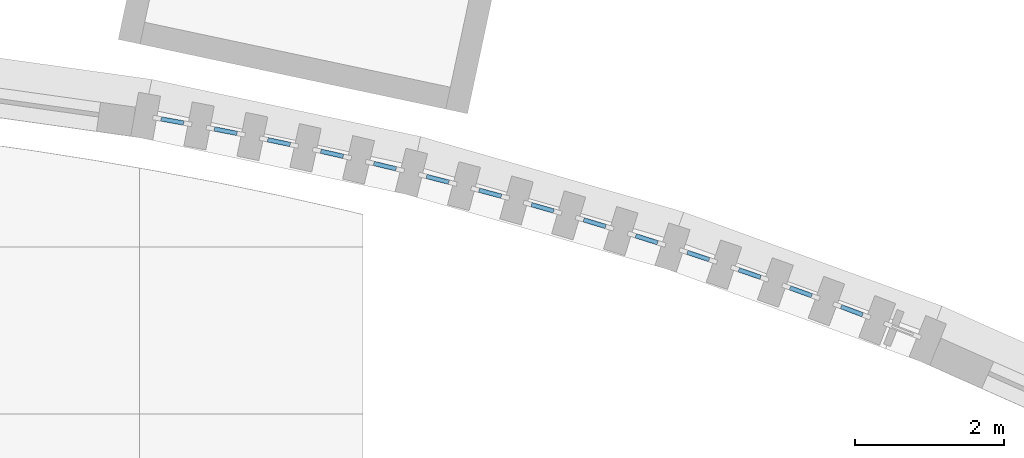
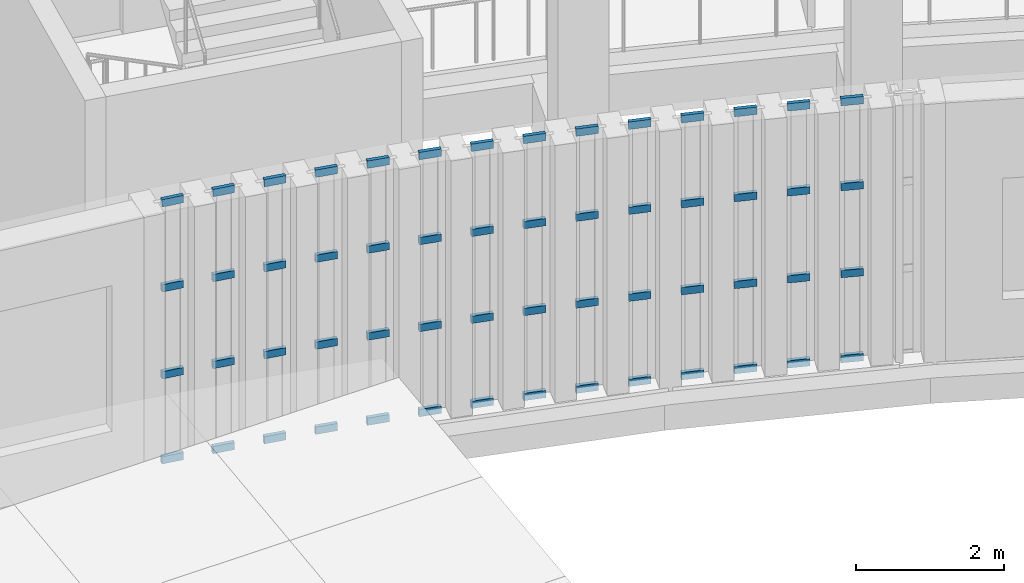
# One storey, part 35 of 112: 56 members, 14 elements without a shape of their own.
"""IFC4 building model written with IfcOpenShell, lengths in metres."""

from ifc_helpers import new_model, si_unit, direction, frame, origin, origin_2d, place, context, subcontext, project, spatial, rectangle, extrude, material, layer, layer_set, material_profile, profile_set, type_object, element, aggregate, save


model = new_model("IFC4")

# Units and contexts
model_context = context("Model", 3, precision=1e-05, world=origin(), true_north=direction((0.0, 1.0)))
body_context = subcontext(model_context, "Body", "Model", "MODEL_VIEW")
ifc_project = project(units=[si_unit("LENGTHUNIT", "METRE"), si_unit("AREAUNIT", "SQUARE_METRE"), si_unit("VOLUMEUNIT", "CUBIC_METRE"), si_unit("PLANEANGLEUNIT", "RADIAN"), si_unit("MASSUNIT", "GRAM", prefix="KILO")], contexts=[model_context])

# Site, building, storey
site_placement = place(None, origin())
site = spatial("IfcSite", under=ifc_project, at=site_placement, CompositionType="ELEMENT")
building_placement = place(site_placement, origin())
building = spatial("IfcBuilding", under=site, at=building_placement, Name="Lunette Opera House", CompositionType="ELEMENT")
storey_placement = place(building_placement, frame((0.0, 0.0, 6.0)))
storey = spatial("IfcBuildingStorey", under=building, at=storey_placement, Name="L01", CompositionType="ELEMENT", Elevation=6.0)

# Curtain wall, members
ifc_material_1 = material(Name="Aluminium", Category="aluminium")
ifc_layer = layer(ifc_material_1, 0.1201171875)
ifc_layer_set = layer_set([ifc_layer], Name="Aluminium")
curtain_wall_type = type_object("IfcCurtainWallType", Name="SLOT CURTAIN WALL", PredefinedType="NOTDEFINED", material=ifc_layer_set)
curtain_wall_1_placement = place(storey_placement, origin())
curtain_wall_1 = element("IfcCurtainWall", 1, at=curtain_wall_1_placement, inside=storey, type_object=curtain_wall_type, Name="Slot Curtain Wall CS046 L01", PredefinedType="NOTDEFINED")
ifc_material_2 = material(Name="Aluminium", Category="aluminium")
ifc_material_profile = material_profile(ifc_material_2, rectangle(XDim=0.06005859375, YDim=0.1201171875, at=origin_2d()), Name="TRANSOM 60 X 120")
ifc_profile_set = profile_set([ifc_material_profile], Name="Aluminium")
member_type = type_object("IfcMemberType", Name="TRANSOM 60 X 120", PredefinedType="USERDEFINED", material=ifc_profile_set)
member_1_placement = place(storey_placement, frame((105.2880859375, 51.46826171875, 0.030029296875), z_axis=(0.983982796931, -0.178263443658, 0.0), x_axis=(0.178263443658, 0.983982796931, 0.0)))
member_1 = element("IfcMember", 2, at=member_1_placement, type_object=member_type, Name="FC-X2092 transom 1.1", ObjectType="TRANSOM", PredefinedType="USERDEFINED", context=body_context, shape_type="SweptSolid", body=[
    extrude(rectangle(XDim=0.06005859375, YDim=0.1201171875, at=origin_2d()), origin(), (0.0, 0.0, 1.0), 0.310791015625),
])
member_2_placement = place(storey_placement, frame((105.2880859375, 51.46826171875, 1.43310546875), z_axis=(0.983982796931, -0.178263443658, 0.0), x_axis=(0.178263443658, 0.983982796931, 0.0)))
member_2 = element("IfcMember", 3, at=member_2_placement, type_object=member_type, Name="FC-X2092 transom 1.2", ObjectType="TRANSOM", PredefinedType="USERDEFINED", context=body_context, shape_type="SweptSolid", body=[
    extrude(rectangle(XDim=0.06005859375, YDim=0.1201171875, at=origin_2d()), origin(), (0.0, 0.0, 1.0), 0.310791015625),
])
member_3_placement = place(storey_placement, frame((105.2880859375, 51.46826171875, 2.866943359375), z_axis=(0.983982796931, -0.178263443658, 0.0), x_axis=(0.178263443658, 0.983982796931, 0.0)))
member_3 = element("IfcMember", 4, at=member_3_placement, type_object=member_type, Name="FC-X2092 transom 1.3", ObjectType="TRANSOM", PredefinedType="USERDEFINED", context=body_context, shape_type="SweptSolid", body=[
    extrude(rectangle(XDim=0.06005859375, YDim=0.1201171875, at=origin_2d()), origin(), (0.0, 0.0, 1.0), 0.310791015625),
])
member_4_placement = place(storey_placement, frame((105.2880859375, 51.46826171875, 4.27001953125), z_axis=(0.983982796931, -0.178263443658, 0.0), x_axis=(0.178263443658, 0.983982796931, 0.0)))
member_4 = element("IfcMember", 5, at=member_4_placement, type_object=member_type, Name="FC-X2092 transom 1.4", ObjectType="TRANSOM", PredefinedType="USERDEFINED", context=body_context, shape_type="SweptSolid", body=[
    extrude(rectangle(XDim=0.06005859375, YDim=0.1201171875, at=origin_2d()), origin(), (0.0, 0.0, 1.0), 0.310791015625),
])
aggregate(curtain_wall_1, [member_1, member_2, member_3, member_4])

curtain_wall_2_placement = place(storey_placement, origin())
curtain_wall_2 = element("IfcCurtainWall", 6, at=curtain_wall_2_placement, inside=storey, type_object=curtain_wall_type, Name="Slot Curtain Wall CS047 L01", PredefinedType="NOTDEFINED")
member_5_placement = place(storey_placement, frame((106.005859375, 51.33349609375, 0.030029296875), z_axis=(0.981211567536, -0.192934858785, 0.0), x_axis=(0.192934858785, 0.981211567536, 0.0)))
member_5 = element("IfcMember", 7, at=member_5_placement, type_object=member_type, Name="FC-X2094 transom 1.1", ObjectType="TRANSOM", PredefinedType="USERDEFINED", context=body_context, shape_type="SweptSolid", body=[
    extrude(rectangle(XDim=0.06005859375, YDim=0.1201171875, at=origin_2d()), origin(), (0.0, 0.0, 1.0), 0.31005859375),
])
member_6_placement = place(storey_placement, frame((106.005859375, 51.33349609375, 1.43310546875), z_axis=(0.981211567536, -0.192934858785, 0.0), x_axis=(0.192934858785, 0.981211567536, 0.0)))
member_6 = element("IfcMember", 8, at=member_6_placement, type_object=member_type, Name="FC-X2094 transom 1.2", ObjectType="TRANSOM", PredefinedType="USERDEFINED", context=body_context, shape_type="SweptSolid", body=[
    extrude(rectangle(XDim=0.06005859375, YDim=0.1201171875, at=origin_2d()), origin(), (0.0, 0.0, 1.0), 0.31005859375),
])
member_7_placement = place(storey_placement, frame((106.005859375, 51.33349609375, 2.866943359375), z_axis=(0.981211567536, -0.192934858785, 0.0), x_axis=(0.192934858785, 0.981211567536, 0.0)))
member_7 = element("IfcMember", 9, at=member_7_placement, type_object=member_type, Name="FC-X2094 transom 1.3", ObjectType="TRANSOM", PredefinedType="USERDEFINED", context=body_context, shape_type="SweptSolid", body=[
    extrude(rectangle(XDim=0.06005859375, YDim=0.1201171875, at=origin_2d()), origin(), (0.0, 0.0, 1.0), 0.31005859375),
])
member_8_placement = place(storey_placement, frame((106.005859375, 51.33349609375, 4.27001953125), z_axis=(0.981211567536, -0.192934858785, 0.0), x_axis=(0.192934858785, 0.981211567536, 0.0)))
member_8 = element("IfcMember", 10, at=member_8_placement, type_object=member_type, Name="FC-X2094 transom 1.4", ObjectType="TRANSOM", PredefinedType="USERDEFINED", context=body_context, shape_type="SweptSolid", body=[
    extrude(rectangle(XDim=0.06005859375, YDim=0.1201171875, at=origin_2d()), origin(), (0.0, 0.0, 1.0), 0.31005859375),
])
aggregate(curtain_wall_2, [member_5, member_6, member_7, member_8])

curtain_wall_3_placement = place(storey_placement, origin())
curtain_wall_3 = element("IfcCurtainWall", 11, at=curtain_wall_3_placement, inside=storey, type_object=curtain_wall_type, Name="Slot Curtain Wall CS048 L01", PredefinedType="NOTDEFINED")
member_9_placement = place(storey_placement, frame((106.7216796875, 51.1884765625, 0.030029296875), z_axis=(0.978533089952, -0.206089766533, 0.0), x_axis=(0.206089766533, 0.978533089952, 0.0)))
member_9 = element("IfcMember", 12, at=member_9_placement, type_object=member_type, Name="FC-X2096 transom 1.1", ObjectType="TRANSOM", PredefinedType="USERDEFINED", context=body_context, shape_type="SweptSolid", body=[
    extrude(rectangle(XDim=0.06005859375, YDim=0.1201171875, at=origin_2d()), origin(), (0.0, 0.0, 1.0), 0.310302734375),
])
member_10_placement = place(storey_placement, frame((106.7216796875, 51.1884765625, 1.43310546875), z_axis=(0.978533089952, -0.206089766533, 0.0), x_axis=(0.206089766533, 0.978533089952, 0.0)))
member_10 = element("IfcMember", 13, at=member_10_placement, type_object=member_type, Name="FC-X2096 transom 1.2", ObjectType="TRANSOM", PredefinedType="USERDEFINED", context=body_context, shape_type="SweptSolid", body=[
    extrude(rectangle(XDim=0.06005859375, YDim=0.1201171875, at=origin_2d()), origin(), (0.0, 0.0, 1.0), 0.310302734375),
])
member_11_placement = place(storey_placement, frame((106.7216796875, 51.1884765625, 2.866943359375), z_axis=(0.978533089952, -0.206089766533, 0.0), x_axis=(0.206089766533, 0.978533089952, 0.0)))
member_11 = element("IfcMember", 14, at=member_11_placement, type_object=member_type, Name="FC-X2096 transom 1.3", ObjectType="TRANSOM", PredefinedType="USERDEFINED", context=body_context, shape_type="SweptSolid", body=[
    extrude(rectangle(XDim=0.06005859375, YDim=0.1201171875, at=origin_2d()), origin(), (0.0, 0.0, 1.0), 0.310302734375),
])
member_12_placement = place(storey_placement, frame((106.7216796875, 51.1884765625, 4.27001953125), z_axis=(0.978533089952, -0.206089766533, 0.0), x_axis=(0.206089766533, 0.978533089952, 0.0)))
member_12 = element("IfcMember", 15, at=member_12_placement, type_object=member_type, Name="FC-X2096 transom 1.4", ObjectType="TRANSOM", PredefinedType="USERDEFINED", context=body_context, shape_type="SweptSolid", body=[
    extrude(rectangle(XDim=0.06005859375, YDim=0.1201171875, at=origin_2d()), origin(), (0.0, 0.0, 1.0), 0.310302734375),
])
aggregate(curtain_wall_3, [member_9, member_10, member_11, member_12])

curtain_wall_4_placement = place(storey_placement, origin())
curtain_wall_4 = element("IfcCurtainWall", 16, at=curtain_wall_4_placement, inside=storey, type_object=curtain_wall_type, Name="Slot Curtain Wall CS049 L01", PredefinedType="NOTDEFINED")
member_13_placement = place(storey_placement, frame((107.435546875, 51.03466796875, 0.030029296875), z_axis=(0.974799972142, -0.223080734962, 0.0), x_axis=(0.223080734962, 0.974799972142, 0.0)))
member_13 = element("IfcMember", 17, at=member_13_placement, type_object=member_type, Name="FC-X2098 transom 1.1", ObjectType="TRANSOM", PredefinedType="USERDEFINED", context=body_context, shape_type="SweptSolid", body=[
    extrude(rectangle(XDim=0.06005859375, YDim=0.1201171875, at=origin_2d()), origin(), (0.0, 0.0, 1.0), 0.310791015625),
])
member_14_placement = place(storey_placement, frame((107.435546875, 51.03466796875, 1.43310546875), z_axis=(0.974799972142, -0.223080734962, 0.0), x_axis=(0.223080734962, 0.974799972142, 0.0)))
member_14 = element("IfcMember", 18, at=member_14_placement, type_object=member_type, Name="FC-X2098 transom 1.2", ObjectType="TRANSOM", PredefinedType="USERDEFINED", context=body_context, shape_type="SweptSolid", body=[
    extrude(rectangle(XDim=0.06005859375, YDim=0.1201171875, at=origin_2d()), origin(), (0.0, 0.0, 1.0), 0.310791015625),
])
member_15_placement = place(storey_placement, frame((107.435546875, 51.03466796875, 2.866943359375), z_axis=(0.974799972142, -0.223080734962, 0.0), x_axis=(0.223080734962, 0.974799972142, 0.0)))
member_15 = element("IfcMember", 19, at=member_15_placement, type_object=member_type, Name="FC-X2098 transom 1.3", ObjectType="TRANSOM", PredefinedType="USERDEFINED", context=body_context, shape_type="SweptSolid", body=[
    extrude(rectangle(XDim=0.06005859375, YDim=0.1201171875, at=origin_2d()), origin(), (0.0, 0.0, 1.0), 0.310791015625),
])
member_16_placement = place(storey_placement, frame((107.435546875, 51.03466796875, 4.27001953125), z_axis=(0.974799972142, -0.223080734962, 0.0), x_axis=(0.223080734962, 0.974799972142, 0.0)))
member_16 = element("IfcMember", 20, at=member_16_placement, type_object=member_type, Name="FC-X2098 transom 1.4", ObjectType="TRANSOM", PredefinedType="USERDEFINED", context=body_context, shape_type="SweptSolid", body=[
    extrude(rectangle(XDim=0.06005859375, YDim=0.1201171875, at=origin_2d()), origin(), (0.0, 0.0, 1.0), 0.310791015625),
])
aggregate(curtain_wall_4, [member_13, member_14, member_15, member_16])

curtain_wall_5_placement = place(storey_placement, origin())
curtain_wall_5 = element("IfcCurtainWall", 21, at=curtain_wall_5_placement, inside=storey, type_object=curtain_wall_type, Name="Slot Curtain Wall CS050 L01", PredefinedType="NOTDEFINED")
member_17_placement = place(storey_placement, frame((108.147216796875, 50.869873046875, 0.030029296875), z_axis=(0.972100778167, -0.234563588578, 0.0), x_axis=(0.234563588578, 0.972100778167, 0.0)))
member_17 = element("IfcMember", 22, at=member_17_placement, type_object=member_type, Name="FC-X2100 transom 1.1", ObjectType="TRANSOM", PredefinedType="USERDEFINED", context=body_context, shape_type="SweptSolid", body=[
    extrude(rectangle(XDim=0.06005859375, YDim=0.1201171875, at=origin_2d()), origin(), (0.0, 0.0, 1.0), 0.31005859375),
])
member_18_placement = place(storey_placement, frame((108.147216796875, 50.869873046875, 1.43310546875), z_axis=(0.972100778167, -0.234563588578, 0.0), x_axis=(0.234563588578, 0.972100778167, 0.0)))
member_18 = element("IfcMember", 23, at=member_18_placement, type_object=member_type, Name="FC-X2100 transom 1.2", ObjectType="TRANSOM", PredefinedType="USERDEFINED", context=body_context, shape_type="SweptSolid", body=[
    extrude(rectangle(XDim=0.06005859375, YDim=0.1201171875, at=origin_2d()), origin(), (0.0, 0.0, 1.0), 0.31005859375),
])
member_19_placement = place(storey_placement, frame((108.147216796875, 50.869873046875, 2.866943359375), z_axis=(0.972100778167, -0.234563588578, 0.0), x_axis=(0.234563588578, 0.972100778167, 0.0)))
member_19 = element("IfcMember", 24, at=member_19_placement, type_object=member_type, Name="FC-X2100 transom 1.3", ObjectType="TRANSOM", PredefinedType="USERDEFINED", context=body_context, shape_type="SweptSolid", body=[
    extrude(rectangle(XDim=0.06005859375, YDim=0.1201171875, at=origin_2d()), origin(), (0.0, 0.0, 1.0), 0.31005859375),
])
member_20_placement = place(storey_placement, frame((108.147216796875, 50.869873046875, 4.27001953125), z_axis=(0.972100778167, -0.234563588578, 0.0), x_axis=(0.234563588578, 0.972100778167, 0.0)))
member_20 = element("IfcMember", 25, at=member_20_placement, type_object=member_type, Name="FC-X2100 transom 1.4", ObjectType="TRANSOM", PredefinedType="USERDEFINED", context=body_context, shape_type="SweptSolid", body=[
    extrude(rectangle(XDim=0.06005859375, YDim=0.1201171875, at=origin_2d()), origin(), (0.0, 0.0, 1.0), 0.31005859375),
])
aggregate(curtain_wall_5, [member_17, member_18, member_19, member_20])

curtain_wall_6_placement = place(storey_placement, origin())
curtain_wall_6 = element("IfcCurtainWall", 26, at=curtain_wall_6_placement, inside=storey, type_object=curtain_wall_type, Name="Slot Curtain Wall CS051 L01", PredefinedType="NOTDEFINED")
member_21_placement = place(storey_placement, frame((108.856201171875, 50.695068359375, 0.030029296875), z_axis=(0.968644461796, -0.248451014552, 0.0), x_axis=(0.248451014552, 0.968644461796, 0.0)))
member_21 = element("IfcMember", 27, at=member_21_placement, type_object=member_type, Name="FC-X2102 transom 1.1", ObjectType="TRANSOM", PredefinedType="USERDEFINED", context=body_context, shape_type="SweptSolid", body=[
    extrude(rectangle(XDim=0.06005859375, YDim=0.1201171875, at=origin_2d()), origin(), (0.0, 0.0, 1.0), 0.310546875),
])
member_22_placement = place(storey_placement, frame((108.856201171875, 50.695068359375, 1.43310546875), z_axis=(0.968644461796, -0.248451014552, 0.0), x_axis=(0.248451014552, 0.968644461796, 0.0)))
member_22 = element("IfcMember", 28, at=member_22_placement, type_object=member_type, Name="FC-X2102 transom 1.2", ObjectType="TRANSOM", PredefinedType="USERDEFINED", context=body_context, shape_type="SweptSolid", body=[
    extrude(rectangle(XDim=0.06005859375, YDim=0.1201171875, at=origin_2d()), origin(), (0.0, 0.0, 1.0), 0.310546875),
])
member_23_placement = place(storey_placement, frame((108.856201171875, 50.695068359375, 2.866943359375), z_axis=(0.968644461796, -0.248451014552, 0.0), x_axis=(0.248451014552, 0.968644461796, 0.0)))
member_23 = element("IfcMember", 29, at=member_23_placement, type_object=member_type, Name="FC-X2102 transom 1.3", ObjectType="TRANSOM", PredefinedType="USERDEFINED", context=body_context, shape_type="SweptSolid", body=[
    extrude(rectangle(XDim=0.06005859375, YDim=0.1201171875, at=origin_2d()), origin(), (0.0, 0.0, 1.0), 0.310546875),
])
member_24_placement = place(storey_placement, frame((108.856201171875, 50.695068359375, 4.27001953125), z_axis=(0.968644461796, -0.248451014552, 0.0), x_axis=(0.248451014552, 0.968644461796, 0.0)))
member_24 = element("IfcMember", 30, at=member_24_placement, type_object=member_type, Name="FC-X2102 transom 1.4", ObjectType="TRANSOM", PredefinedType="USERDEFINED", context=body_context, shape_type="SweptSolid", body=[
    extrude(rectangle(XDim=0.06005859375, YDim=0.1201171875, at=origin_2d()), origin(), (0.0, 0.0, 1.0), 0.310546875),
])
aggregate(curtain_wall_6, [member_21, member_22, member_23, member_24])

curtain_wall_7_placement = place(storey_placement, origin())
curtain_wall_7 = element("IfcCurtainWall", 31, at=curtain_wall_7_placement, inside=storey, type_object=curtain_wall_type, Name="Slot Curtain Wall CS052 L01", PredefinedType="NOTDEFINED")
member_25_placement = place(storey_placement, frame((109.56298828125, 50.51025390625, 0.030029296875), z_axis=(0.965577695854, -0.260114807863, 0.0), x_axis=(0.260114807863, 0.965577695854, 0.0)))
member_25 = element("IfcMember", 32, at=member_25_placement, type_object=member_type, Name="FC-X2104 transom 1.1", ObjectType="TRANSOM", PredefinedType="USERDEFINED", context=body_context, shape_type="SweptSolid", body=[
    extrude(rectangle(XDim=0.06005859375, YDim=0.1201171875, at=origin_2d()), origin(), (0.0, 0.0, 1.0), 0.309814453125),
])
member_26_placement = place(storey_placement, frame((109.56298828125, 50.51025390625, 1.43310546875), z_axis=(0.965577695854, -0.260114807863, 0.0), x_axis=(0.260114807863, 0.965577695854, 0.0)))
member_26 = element("IfcMember", 33, at=member_26_placement, type_object=member_type, Name="FC-X2104 transom 1.2", ObjectType="TRANSOM", PredefinedType="USERDEFINED", context=body_context, shape_type="SweptSolid", body=[
    extrude(rectangle(XDim=0.06005859375, YDim=0.1201171875, at=origin_2d()), origin(), (0.0, 0.0, 1.0), 0.309814453125),
])
member_27_placement = place(storey_placement, frame((109.56298828125, 50.51025390625, 2.866943359375), z_axis=(0.965577695854, -0.260114807863, 0.0), x_axis=(0.260114807863, 0.965577695854, 0.0)))
member_27 = element("IfcMember", 34, at=member_27_placement, type_object=member_type, Name="FC-X2104 transom 1.3", ObjectType="TRANSOM", PredefinedType="USERDEFINED", context=body_context, shape_type="SweptSolid", body=[
    extrude(rectangle(XDim=0.06005859375, YDim=0.1201171875, at=origin_2d()), origin(), (0.0, 0.0, 1.0), 0.309814453125),
])
member_28_placement = place(storey_placement, frame((109.56298828125, 50.51025390625, 4.27001953125), z_axis=(0.965577695854, -0.260114807863, 0.0), x_axis=(0.260114807863, 0.965577695854, 0.0)))
member_28 = element("IfcMember", 35, at=member_28_placement, type_object=member_type, Name="FC-X2104 transom 1.4", ObjectType="TRANSOM", PredefinedType="USERDEFINED", context=body_context, shape_type="SweptSolid", body=[
    extrude(rectangle(XDim=0.06005859375, YDim=0.1201171875, at=origin_2d()), origin(), (0.0, 0.0, 1.0), 0.309814453125),
])
aggregate(curtain_wall_7, [member_25, member_26, member_27, member_28])

curtain_wall_8_placement = place(storey_placement, origin())
curtain_wall_8 = element("IfcCurtainWall", 36, at=curtain_wall_8_placement, inside=storey, type_object=curtain_wall_type, Name="Slot Curtain Wall CS053 L01", PredefinedType="NOTDEFINED")
member_29_placement = place(storey_placement, frame((110.2666015625, 50.31640625, 0.030029296875), z_axis=(0.96104845095, -0.276379946679, 0.0), x_axis=(0.276379946679, 0.96104845095, 0.0)))
member_29 = element("IfcMember", 37, at=member_29_placement, type_object=member_type, Name="FC-X2106 transom 1.1", ObjectType="TRANSOM", PredefinedType="USERDEFINED", context=body_context, shape_type="SweptSolid", body=[
    extrude(rectangle(XDim=0.06005859375, YDim=0.1201171875, at=origin_2d()), origin(), (0.0, 0.0, 1.0), 0.31103515625),
])
member_30_placement = place(storey_placement, frame((110.2666015625, 50.31640625, 1.43310546875), z_axis=(0.96104845095, -0.276379946679, 0.0), x_axis=(0.276379946679, 0.96104845095, 0.0)))
member_30 = element("IfcMember", 38, at=member_30_placement, type_object=member_type, Name="FC-X2106 transom 1.2", ObjectType="TRANSOM", PredefinedType="USERDEFINED", context=body_context, shape_type="SweptSolid", body=[
    extrude(rectangle(XDim=0.06005859375, YDim=0.1201171875, at=origin_2d()), origin(), (0.0, 0.0, 1.0), 0.31103515625),
])
member_31_placement = place(storey_placement, frame((110.2666015625, 50.31640625, 2.866943359375), z_axis=(0.96104845095, -0.276379946679, 0.0), x_axis=(0.276379946679, 0.96104845095, 0.0)))
member_31 = element("IfcMember", 39, at=member_31_placement, type_object=member_type, Name="FC-X2106 transom 1.3", ObjectType="TRANSOM", PredefinedType="USERDEFINED", context=body_context, shape_type="SweptSolid", body=[
    extrude(rectangle(XDim=0.06005859375, YDim=0.1201171875, at=origin_2d()), origin(), (0.0, 0.0, 1.0), 0.31103515625),
])
member_32_placement = place(storey_placement, frame((110.2666015625, 50.31640625, 4.27001953125), z_axis=(0.96104845095, -0.276379946679, 0.0), x_axis=(0.276379946679, 0.96104845095, 0.0)))
member_32 = element("IfcMember", 40, at=member_32_placement, type_object=member_type, Name="FC-X2106 transom 1.4", ObjectType="TRANSOM", PredefinedType="USERDEFINED", context=body_context, shape_type="SweptSolid", body=[
    extrude(rectangle(XDim=0.06005859375, YDim=0.1201171875, at=origin_2d()), origin(), (0.0, 0.0, 1.0), 0.31103515625),
])
aggregate(curtain_wall_8, [member_29, member_30, member_31, member_32])

curtain_wall_9_placement = place(storey_placement, origin())
curtain_wall_9 = element("IfcCurtainWall", 41, at=curtain_wall_9_placement, inside=storey, type_object=curtain_wall_type, Name="Slot Curtain Wall CS054 L01", PredefinedType="NOTDEFINED")
member_33_placement = place(storey_placement, frame((110.967529296875, 50.112548828125, 0.030029296875), z_axis=(0.956978097931, -0.290160162807, 0.0), x_axis=(0.290160162807, 0.956978097931, 0.0)))
member_33 = element("IfcMember", 42, at=member_33_placement, type_object=member_type, Name="FC-X2108 transom 1.1", ObjectType="TRANSOM", PredefinedType="USERDEFINED", context=body_context, shape_type="SweptSolid", body=[
    extrude(rectangle(XDim=0.06005859375, YDim=0.1201171875, at=origin_2d()), origin(), (0.0, 0.0, 1.0), 0.310546875),
])
member_34_placement = place(storey_placement, frame((110.967529296875, 50.112548828125, 1.43310546875), z_axis=(0.956978097931, -0.290160162807, 0.0), x_axis=(0.290160162807, 0.956978097931, 0.0)))
member_34 = element("IfcMember", 43, at=member_34_placement, type_object=member_type, Name="FC-X2108 transom 1.2", ObjectType="TRANSOM", PredefinedType="USERDEFINED", context=body_context, shape_type="SweptSolid", body=[
    extrude(rectangle(XDim=0.06005859375, YDim=0.1201171875, at=origin_2d()), origin(), (0.0, 0.0, 1.0), 0.310546875),
])
member_35_placement = place(storey_placement, frame((110.967529296875, 50.112548828125, 2.866943359375), z_axis=(0.956978097931, -0.290160162807, 0.0), x_axis=(0.290160162807, 0.956978097931, 0.0)))
member_35 = element("IfcMember", 44, at=member_35_placement, type_object=member_type, Name="FC-X2108 transom 1.3", ObjectType="TRANSOM", PredefinedType="USERDEFINED", context=body_context, shape_type="SweptSolid", body=[
    extrude(rectangle(XDim=0.06005859375, YDim=0.1201171875, at=origin_2d()), origin(), (0.0, 0.0, 1.0), 0.310546875),
])
member_36_placement = place(storey_placement, frame((110.967529296875, 50.112548828125, 4.27001953125), z_axis=(0.956978097931, -0.290160162807, 0.0), x_axis=(0.290160162807, 0.956978097931, 0.0)))
member_36 = element("IfcMember", 45, at=member_36_placement, type_object=member_type, Name="FC-X2108 transom 1.4", ObjectType="TRANSOM", PredefinedType="USERDEFINED", context=body_context, shape_type="SweptSolid", body=[
    extrude(rectangle(XDim=0.06005859375, YDim=0.1201171875, at=origin_2d()), origin(), (0.0, 0.0, 1.0), 0.310546875),
])
aggregate(curtain_wall_9, [member_33, member_34, member_35, member_36])

curtain_wall_10_placement = place(storey_placement, origin())
curtain_wall_10 = element("IfcCurtainWall", 46, at=curtain_wall_10_placement, inside=storey, type_object=curtain_wall_type, Name="Slot Curtain Wall CS055 L01", PredefinedType="NOTDEFINED")
member_37_placement = place(storey_placement, frame((111.666259765625, 49.89794921875, 0.030029296875), z_axis=(0.953225106294, -0.302261305381, 0.0), x_axis=(0.302261305381, 0.953225106294, 0.0)))
member_37 = element("IfcMember", 47, at=member_37_placement, type_object=member_type, Name="FC-X2110 transom 1.1", ObjectType="TRANSOM", PredefinedType="USERDEFINED", context=body_context, shape_type="SweptSolid", body=[
    extrude(rectangle(XDim=0.06005859375, YDim=0.1201171875, at=origin_2d()), origin(), (0.0, 0.0, 1.0), 0.31005859375),
])
member_38_placement = place(storey_placement, frame((111.666259765625, 49.89794921875, 1.43310546875), z_axis=(0.953225106294, -0.302261305381, 0.0), x_axis=(0.302261305381, 0.953225106294, 0.0)))
member_38 = element("IfcMember", 48, at=member_38_placement, type_object=member_type, Name="FC-X2110 transom 1.2", ObjectType="TRANSOM", PredefinedType="USERDEFINED", context=body_context, shape_type="SweptSolid", body=[
    extrude(rectangle(XDim=0.06005859375, YDim=0.1201171875, at=origin_2d()), origin(), (0.0, 0.0, 1.0), 0.31005859375),
])
member_39_placement = place(storey_placement, frame((111.666259765625, 49.89794921875, 2.866943359375), z_axis=(0.953225106294, -0.302261305381, 0.0), x_axis=(0.302261305381, 0.953225106294, 0.0)))
member_39 = element("IfcMember", 49, at=member_39_placement, type_object=member_type, Name="FC-X2110 transom 1.3", ObjectType="TRANSOM", PredefinedType="USERDEFINED", context=body_context, shape_type="SweptSolid", body=[
    extrude(rectangle(XDim=0.06005859375, YDim=0.1201171875, at=origin_2d()), origin(), (0.0, 0.0, 1.0), 0.31005859375),
])
member_40_placement = place(storey_placement, frame((111.666259765625, 49.89794921875, 4.27001953125), z_axis=(0.953225106294, -0.302261305381, 0.0), x_axis=(0.302261305381, 0.953225106294, 0.0)))
member_40 = element("IfcMember", 50, at=member_40_placement, type_object=member_type, Name="FC-X2110 transom 1.4", ObjectType="TRANSOM", PredefinedType="USERDEFINED", context=body_context, shape_type="SweptSolid", body=[
    extrude(rectangle(XDim=0.06005859375, YDim=0.1201171875, at=origin_2d()), origin(), (0.0, 0.0, 1.0), 0.31005859375),
])
aggregate(curtain_wall_10, [member_37, member_38, member_39, member_40])

curtain_wall_11_placement = place(storey_placement, origin())
curtain_wall_11 = element("IfcCurtainWall", 51, at=curtain_wall_11_placement, inside=storey, type_object=curtain_wall_type, Name="Slot Curtain Wall CS056 L01", PredefinedType="NOTDEFINED")
member_41_placement = place(storey_placement, frame((112.36083984375, 49.675048828125, 0.030029296875), z_axis=(0.948604546286, -0.316463923325, 0.0), x_axis=(0.316463923325, 0.948604546286, 0.0)))
member_41 = element("IfcMember", 52, at=member_41_placement, type_object=member_type, Name="FC-X2112 transom 1.1", ObjectType="TRANSOM", PredefinedType="USERDEFINED", context=body_context, shape_type="SweptSolid", body=[
    extrude(rectangle(XDim=0.06005859375, YDim=0.1201171875, at=origin_2d()), origin(), (0.0, 0.0, 1.0), 0.31005859375),
])
member_42_placement = place(storey_placement, frame((112.36083984375, 49.675048828125, 1.43310546875), z_axis=(0.948604546286, -0.316463923325, 0.0), x_axis=(0.316463923325, 0.948604546286, 0.0)))
member_42 = element("IfcMember", 53, at=member_42_placement, type_object=member_type, Name="FC-X2112 transom 1.2", ObjectType="TRANSOM", PredefinedType="USERDEFINED", context=body_context, shape_type="SweptSolid", body=[
    extrude(rectangle(XDim=0.06005859375, YDim=0.1201171875, at=origin_2d()), origin(), (0.0, 0.0, 1.0), 0.31005859375),
])
member_43_placement = place(storey_placement, frame((112.36083984375, 49.675048828125, 2.866943359375), z_axis=(0.948604546286, -0.316463923325, 0.0), x_axis=(0.316463923325, 0.948604546286, 0.0)))
member_43 = element("IfcMember", 54, at=member_43_placement, type_object=member_type, Name="FC-X2112 transom 1.3", ObjectType="TRANSOM", PredefinedType="USERDEFINED", context=body_context, shape_type="SweptSolid", body=[
    extrude(rectangle(XDim=0.06005859375, YDim=0.1201171875, at=origin_2d()), origin(), (0.0, 0.0, 1.0), 0.31005859375),
])
member_44_placement = place(storey_placement, frame((112.36083984375, 49.675048828125, 4.27001953125), z_axis=(0.948604546286, -0.316463923325, 0.0), x_axis=(0.316463923325, 0.948604546286, 0.0)))
member_44 = element("IfcMember", 55, at=member_44_placement, type_object=member_type, Name="FC-X2112 transom 1.4", ObjectType="TRANSOM", PredefinedType="USERDEFINED", context=body_context, shape_type="SweptSolid", body=[
    extrude(rectangle(XDim=0.06005859375, YDim=0.1201171875, at=origin_2d()), origin(), (0.0, 0.0, 1.0), 0.31005859375),
])
aggregate(curtain_wall_11, [member_41, member_42, member_43, member_44])

curtain_wall_12_placement = place(storey_placement, origin())
curtain_wall_12 = element("IfcCurtainWall", 56, at=curtain_wall_12_placement, inside=storey, type_object=curtain_wall_type, Name="Slot Curtain Wall CS057 L01", PredefinedType="NOTDEFINED")
member_45_placement = place(storey_placement, frame((113.052734375, 49.44140625, 0.030029296875), z_axis=(0.944761579041, -0.327758384742, 0.0), x_axis=(0.327758384742, 0.944761579041, 0.0)))
member_45 = element("IfcMember", 57, at=member_45_placement, type_object=member_type, Name="FC-X2114 transom 1.1", ObjectType="TRANSOM", PredefinedType="USERDEFINED", context=body_context, shape_type="SweptSolid", body=[
    extrude(rectangle(XDim=0.06005859375, YDim=0.1201171875, at=origin_2d()), origin(), (0.0, 0.0, 1.0), 0.310546875),
])
member_46_placement = place(storey_placement, frame((113.052734375, 49.44140625, 1.43310546875), z_axis=(0.944761579041, -0.327758384742, 0.0), x_axis=(0.327758384742, 0.944761579041, 0.0)))
member_46 = element("IfcMember", 58, at=member_46_placement, type_object=member_type, Name="FC-X2114 transom 1.2", ObjectType="TRANSOM", PredefinedType="USERDEFINED", context=body_context, shape_type="SweptSolid", body=[
    extrude(rectangle(XDim=0.06005859375, YDim=0.1201171875, at=origin_2d()), origin(), (0.0, 0.0, 1.0), 0.310546875),
])
member_47_placement = place(storey_placement, frame((113.052734375, 49.44140625, 2.866943359375), z_axis=(0.944761579041, -0.327758384742, 0.0), x_axis=(0.327758384742, 0.944761579041, 0.0)))
member_47 = element("IfcMember", 59, at=member_47_placement, type_object=member_type, Name="FC-X2114 transom 1.3", ObjectType="TRANSOM", PredefinedType="USERDEFINED", context=body_context, shape_type="SweptSolid", body=[
    extrude(rectangle(XDim=0.06005859375, YDim=0.1201171875, at=origin_2d()), origin(), (0.0, 0.0, 1.0), 0.310546875),
])
member_48_placement = place(storey_placement, frame((113.052734375, 49.44140625, 4.27001953125), z_axis=(0.944761579041, -0.327758384742, 0.0), x_axis=(0.327758384742, 0.944761579041, 0.0)))
member_48 = element("IfcMember", 60, at=member_48_placement, type_object=member_type, Name="FC-X2114 transom 1.4", ObjectType="TRANSOM", PredefinedType="USERDEFINED", context=body_context, shape_type="SweptSolid", body=[
    extrude(rectangle(XDim=0.06005859375, YDim=0.1201171875, at=origin_2d()), origin(), (0.0, 0.0, 1.0), 0.310546875),
])
aggregate(curtain_wall_12, [member_45, member_46, member_47, member_48])

curtain_wall_13_placement = place(storey_placement, origin())
curtain_wall_13 = element("IfcCurtainWall", 61, at=curtain_wall_13_placement, inside=storey, type_object=curtain_wall_type, Name="Slot Curtain Wall CS058 L01", PredefinedType="NOTDEFINED")
member_49_placement = place(storey_placement, frame((113.741455078125, 49.198486328125, 0.030029296875), z_axis=(0.940114044895, -0.340860063062, 0.0), x_axis=(0.340860063062, 0.940114044895, 0.0)))
member_49 = element("IfcMember", 62, at=member_49_placement, type_object=member_type, Name="FC-X2116 transom 1.1", ObjectType="TRANSOM", PredefinedType="USERDEFINED", context=body_context, shape_type="SweptSolid", body=[
    extrude(rectangle(XDim=0.06005859375, YDim=0.1201171875, at=origin_2d()), origin(), (0.0, 0.0, 1.0), 0.310791015625),
])
member_50_placement = place(storey_placement, frame((113.741455078125, 49.198486328125, 1.43310546875), z_axis=(0.940114044895, -0.340860063062, 0.0), x_axis=(0.340860063062, 0.940114044895, 0.0)))
member_50 = element("IfcMember", 63, at=member_50_placement, type_object=member_type, Name="FC-X2116 transom 1.2", ObjectType="TRANSOM", PredefinedType="USERDEFINED", context=body_context, shape_type="SweptSolid", body=[
    extrude(rectangle(XDim=0.06005859375, YDim=0.1201171875, at=origin_2d()), origin(), (0.0, 0.0, 1.0), 0.310791015625),
])
member_51_placement = place(storey_placement, frame((113.741455078125, 49.198486328125, 2.866943359375), z_axis=(0.940114044895, -0.340860063062, 0.0), x_axis=(0.340860063062, 0.940114044895, 0.0)))
member_51 = element("IfcMember", 64, at=member_51_placement, type_object=member_type, Name="FC-X2116 transom 1.3", ObjectType="TRANSOM", PredefinedType="USERDEFINED", context=body_context, shape_type="SweptSolid", body=[
    extrude(rectangle(XDim=0.06005859375, YDim=0.1201171875, at=origin_2d()), origin(), (0.0, 0.0, 1.0), 0.310791015625),
])
member_52_placement = place(storey_placement, frame((113.741455078125, 49.198486328125, 4.27001953125), z_axis=(0.940114044895, -0.340860063062, 0.0), x_axis=(0.340860063062, 0.940114044895, 0.0)))
member_52 = element("IfcMember", 65, at=member_52_placement, type_object=member_type, Name="FC-X2116 transom 1.4", ObjectType="TRANSOM", PredefinedType="USERDEFINED", context=body_context, shape_type="SweptSolid", body=[
    extrude(rectangle(XDim=0.06005859375, YDim=0.1201171875, at=origin_2d()), origin(), (0.0, 0.0, 1.0), 0.310791015625),
])
aggregate(curtain_wall_13, [member_49, member_50, member_51, member_52])

curtain_wall_14_placement = place(storey_placement, origin())
curtain_wall_14 = element("IfcCurtainWall", 66, at=curtain_wall_14_placement, inside=storey, type_object=curtain_wall_type, Name="Slot Curtain Wall CS059 L01", PredefinedType="NOTDEFINED")
member_53_placement = place(storey_placement, frame((114.427001953125, 48.94580078125, 0.030029296875), z_axis=(0.935321497524, -0.353798948937, 0.0), x_axis=(0.353798948937, 0.935321497524, 0.0)))
member_53 = element("IfcMember", 67, at=member_53_placement, type_object=member_type, Name="FC-X2118 transom 1.1", ObjectType="TRANSOM", PredefinedType="USERDEFINED", context=body_context, shape_type="SweptSolid", body=[
    extrude(rectangle(XDim=0.06005859375, YDim=0.1201171875, at=origin_2d()), origin(), (0.0, 0.0, 1.0), 0.309814453125),
])
member_54_placement = place(storey_placement, frame((114.427001953125, 48.94580078125, 1.43310546875), z_axis=(0.935321497524, -0.353798948937, 0.0), x_axis=(0.353798948937, 0.935321497524, 0.0)))
member_54 = element("IfcMember", 68, at=member_54_placement, type_object=member_type, Name="FC-X2118 transom 1.2", ObjectType="TRANSOM", PredefinedType="USERDEFINED", context=body_context, shape_type="SweptSolid", body=[
    extrude(rectangle(XDim=0.06005859375, YDim=0.1201171875, at=origin_2d()), origin(), (0.0, 0.0, 1.0), 0.309814453125),
])
member_55_placement = place(storey_placement, frame((114.427001953125, 48.94580078125, 2.866943359375), z_axis=(0.935321497524, -0.353798948937, 0.0), x_axis=(0.353798948937, 0.935321497524, 0.0)))
member_55 = element("IfcMember", 69, at=member_55_placement, type_object=member_type, Name="FC-X2118 transom 1.3", ObjectType="TRANSOM", PredefinedType="USERDEFINED", context=body_context, shape_type="SweptSolid", body=[
    extrude(rectangle(XDim=0.06005859375, YDim=0.1201171875, at=origin_2d()), origin(), (0.0, 0.0, 1.0), 0.309814453125),
])
member_56_placement = place(storey_placement, frame((114.427001953125, 48.94580078125, 4.27001953125), z_axis=(0.935321497524, -0.353798948937, 0.0), x_axis=(0.353798948937, 0.935321497524, 0.0)))
member_56 = element("IfcMember", 70, at=member_56_placement, type_object=member_type, Name="FC-X2118 transom 1.4", ObjectType="TRANSOM", PredefinedType="USERDEFINED", context=body_context, shape_type="SweptSolid", body=[
    extrude(rectangle(XDim=0.06005859375, YDim=0.1201171875, at=origin_2d()), origin(), (0.0, 0.0, 1.0), 0.309814453125),
])
aggregate(curtain_wall_14, [member_53, member_54, member_55, member_56])

save(model, "model.ifc")
